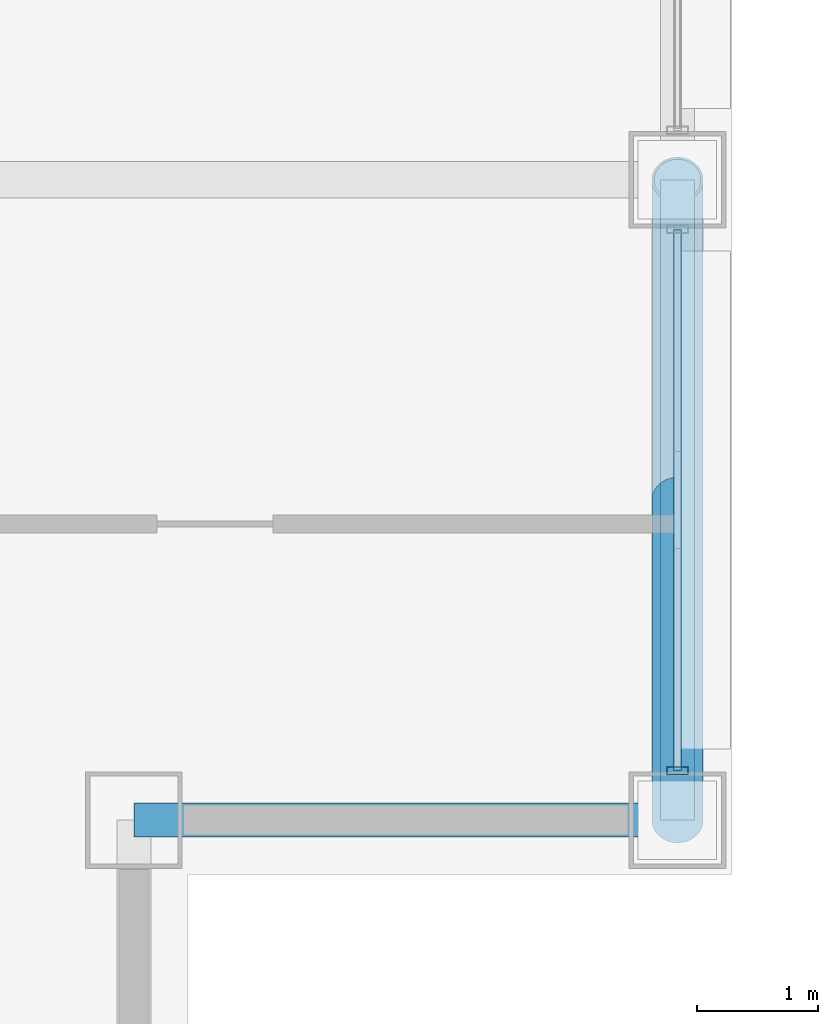
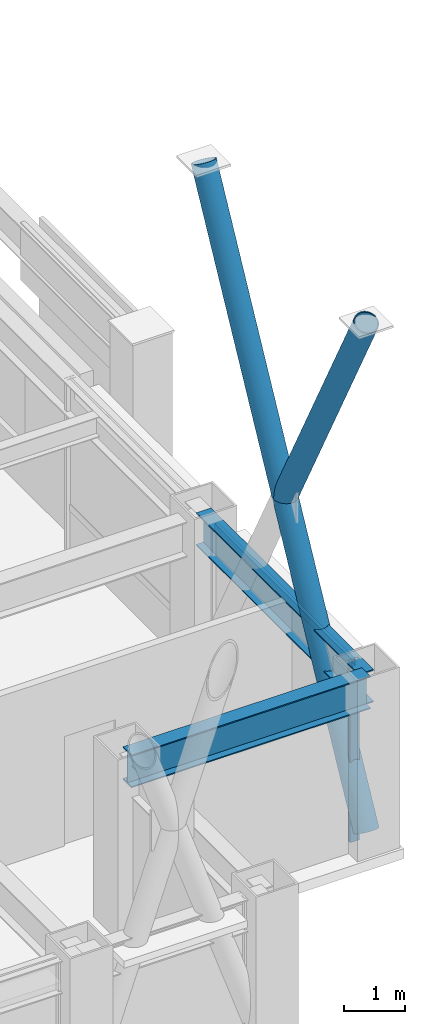
# One storey, part 13 of 33: 4 members, 2 beams, 1 element without a shape of its own.
"""IFC4 building model written with IfcOpenShell, lengths in metres."""

import ifcopenshell
import ifcopenshell.guid

model = None  # the IFC model being written
_history = None  # IfcOwnerHistory: only IFC2X3 demands one
_inside = {}  # id of a spatial element -> (the spatial element, [elements in it])
_under = {}  # id of a project, library or spatial element -> (it, [spatial elements below it])
_declared = {}  # id of a project -> (the project, [libraries it declares])
_typed = {}  # id of a type object -> (the type object, [elements of that type])
_made_of = {}  # id of a material, layer set ... -> (it, [elements and type objects made of it])


def new_model(schema):
    """Start an empty IFC model of exactly this schema.

    Asked for "IFC4X3", IfcOpenShell would pick the latest addendum, in which some entities
    have other attributes; the version numbers below select the first issue.
    IFC2X3 requires an IfcOwnerHistory on every rooted entity: one is made here for all.
    """
    global model, _history
    if schema == "IFC4X3":
        model = ifcopenshell.file(schema_version=(4, 3, 0, 0))
    else:
        model = ifcopenshell.file(schema=schema)
    _inside.clear()
    _under.clear()
    _declared.clear()
    _typed.clear()
    _made_of.clear()
    _history = None
    if model.schema == "IFC2X3":
        org = make("IfcOrganization", Name="unknown")
        user = make(
            "IfcPersonAndOrganization",
            ThePerson=make("IfcPerson", FamilyName="unknown"),
            TheOrganization=org,
        )
        app = make(
            "IfcApplication",
            ApplicationDeveloper=org,
            Version="unknown",
            ApplicationFullName="unknown",
            ApplicationIdentifier="unknown",
        )
        _history = make(
            "IfcOwnerHistory",
            OwningUser=user,
            OwningApplication=app,
            ChangeAction="ADDED",
            CreationDate=0,
        )
    return model


def make(cls, **values):
    """One entity of the class cls with the attributes given. An attribute that is None is left unset."""
    return model.create_entity(
        cls, **{name: value for name, value in values.items() if value is not None}
    )


def rooted(cls, **values):
    """An entity with a GlobalId (a new one), such as an element, a storey or a relation."""
    return make(cls, GlobalId=ifcopenshell.guid.new(), OwnerHistory=_history, **values)


def si_unit(unit_type, name, prefix=None):
    """IfcSIUnit, for example si_unit("LENGTHUNIT", "METRE", prefix="MILLI")."""
    return make("IfcSIUnit", UnitType=unit_type, Prefix=prefix, Name=name)


def assignment(units):
    """IfcUnitAssignment: the units of a project."""
    return None if units is None else make("IfcUnitAssignment", Units=units)


def point(xyz):
    """IfcCartesianPoint."""
    return None if xyz is None else make("IfcCartesianPoint", Coordinates=xyz)


def direction(xyz):
    """IfcDirection."""
    return None if xyz is None else make("IfcDirection", DirectionRatios=xyz)


def frame(location, z_axis=None, x_axis=None):
    """IfcAxis2Placement3D, a coordinate frame: its origin and axes. An axis left out is left unset."""
    return make(
        "IfcAxis2Placement3D",
        Location=point(location),
        Axis=direction(z_axis),
        RefDirection=direction(x_axis),
    )


def frame_2d(location, x_axis=None):
    """IfcAxis2Placement2D, a coordinate frame in the plane: its origin and x axis."""
    return make(
        "IfcAxis2Placement2D", Location=point(location), RefDirection=direction(x_axis)
    )


def origin():
    """The frame at (0, 0, 0) with its axes left unset."""
    return frame((0.0, 0.0, 0.0))


def origin_2d():
    """The frame at (0, 0) in the plane with its x axis left unset."""
    return frame_2d((0.0, 0.0))


def place(relative_to, where):
    """IfcLocalPlacement: puts the frame where relative to a parent placement (None: the world)."""
    return make(
        "IfcLocalPlacement", PlacementRelTo=relative_to, RelativePlacement=where
    )


def context(
    kind, dimensions, precision=None, world=None, true_north=None, identifier=None
):
    """IfcGeometricRepresentationContext, for example the 3D "Model" context."""
    return make(
        "IfcGeometricRepresentationContext",
        ContextIdentifier=identifier,
        ContextType=kind,
        CoordinateSpaceDimension=dimensions,
        Precision=precision,
        WorldCoordinateSystem=world,
        TrueNorth=true_north,
    )


def subcontext(parent, identifier, kind, view, scale=None):
    """IfcGeometricRepresentationSubContext, for example "Body" below "Model"."""
    return make(
        "IfcGeometricRepresentationSubContext",
        ContextIdentifier=identifier,
        ContextType=kind,
        ParentContext=parent,
        TargetScale=scale,
        TargetView=view,
    )


def project(units=None, contexts=None):
    """IfcProject with its units and contexts."""
    return rooted(
        "IfcProject",
        Name="project",
        RepresentationContexts=contexts,
        UnitsInContext=assignment(units),
    )


def spatial(cls, under=None, at=None, **own):
    """A site, building, storey or space (cls), placed at a placement, below another one or the project."""
    s = rooted(cls, ObjectPlacement=at, **own)
    if under is not None:
        _under.setdefault(under.id(), (under, []))[1].append(s)
    return s


def profile(cls, at=None, kind="AREA", **sizes):
    """A parametric profile (cls). Its sizes go by their IFC names, for example OverallWidth=200.0."""
    return make(cls, ProfileType=kind, Position=at, **sizes)


def hollow_rectangle(**sizes):
    """IfcRectangleHollowProfileDef."""
    return profile("IfcRectangleHollowProfileDef", **sizes)


def hollow_circle(**sizes):
    """IfcCircleHollowProfileDef."""
    return profile("IfcCircleHollowProfileDef", **sizes)


def i_section(**sizes):
    """IfcIShapeProfileDef."""
    return profile("IfcIShapeProfileDef", **sizes)


def extrude(swept, where, along, depth):
    """IfcExtrudedAreaSolid: the profile swept, set in the frame where, extruded along a direction by depth."""
    return make(
        "IfcExtrudedAreaSolid",
        SweptArea=swept,
        Position=where,
        ExtrudedDirection=direction(along),
        Depth=depth,
    )


def shape(context_of_items, identifier, shape_type, items):
    """IfcShapeRepresentation: the items that make up one representation, for example the "Body"."""
    return make(
        "IfcShapeRepresentation",
        ContextOfItems=context_of_items,
        RepresentationIdentifier=identifier,
        RepresentationType=shape_type,
        Items=items,
    )


def material(Name=None, Category=None):
    """IfcMaterial."""
    return make("IfcMaterial", Name=Name, Category=Category)


def layer(
    of_material, thickness, ventilated=None, Name=None, Category=None, Priority=None
):
    """IfcMaterialLayer: one layer of a wall or slab, of a material (None: an air gap)."""
    return make(
        "IfcMaterialLayer",
        Material=of_material,
        LayerThickness=thickness,
        IsVentilated=ventilated,
        Name=Name,
        Category=Category,
        Priority=Priority,
    )


def layer_set(layers, Name=None):
    """IfcMaterialLayerSet."""
    return make("IfcMaterialLayerSet", MaterialLayers=layers, LayerSetName=Name)


def material_profile(
    of_material, cross_section, Name=None, Category=None, Priority=None
):
    """IfcMaterialProfile: a cross section and its material."""
    return make(
        "IfcMaterialProfile",
        Name=Name,
        Material=of_material,
        Profile=cross_section,
        Priority=Priority,
        Category=Category,
    )


def profile_set(profiles, Name=None, composite=None):
    """IfcMaterialProfileSet."""
    return make(
        "IfcMaterialProfileSet",
        Name=Name,
        MaterialProfiles=profiles,
        CompositeProfile=composite,
    )


def made_of(thing, what):
    """Note that an element or type object is made of a material, layer set ...; save() writes the relation."""
    if what is not None:
        _made_of.setdefault(what.id(), (what, []))[1].append(thing)
    return thing


def type_object(cls, material=None, **own):
    """A type object (cls), such as IfcWallType, which elements share."""
    return made_of(rooted(cls, **own), material)


def element(
    cls,
    number,
    at=None,
    inside=None,
    cuts=None,
    type_object=None,
    material=None,
    context=None,
    identifier="Body",
    shape_type=None,
    held_by="IfcProductDefinitionShape",
    body=None,
    shapes=None,
    **own,
):
    """One element of the class cls, such as IfcWall. Its Tag is "e" and its number.

    at: its placement. inside: the storey or other place that contains it. cuts: it is an
    opening in that element (IfcRelVoidsElement). A single representation is given by context,
    identifier, shape_type and body (its items); several are given by shapes. held_by: the class
    of the entity that holds the representations. save() writes the other relations.
    """
    e = rooted(cls, Tag="e%d" % number, ObjectPlacement=at, **own)
    if body is not None:
        shapes = [shape(context, identifier, shape_type, body)]
    if shapes is not None:
        e.Representation = make(held_by, Representations=shapes)
    if inside is not None:
        _inside.setdefault(inside.id(), (inside, []))[1].append(e)
    if cuts is not None:
        rooted(
            "IfcRelVoidsElement", RelatingBuildingElement=cuts, RelatedOpeningElement=e
        )
    if type_object is not None:
        _typed.setdefault(type_object.id(), (type_object, []))[1].append(e)
    return made_of(e, material)


def aggregate(whole, parts):
    """IfcRelAggregates: a whole, such as a stair, and the parts it consists of."""
    return rooted("IfcRelAggregates", RelatingObject=whole, RelatedObjects=parts)


def save(model, path):
    """Write the relations noted so far, then the file.

    IfcRelAggregates (storeys below a building ...), IfcRelContainedInSpatialStructure (elements
    in a storey), IfcRelDefinesByType, IfcRelAssociatesMaterial and IfcRelDeclares: one each for
    every whole, place, type object, material and project.
    """
    for whole, parts in _under.values():
        aggregate(whole, parts)
    for where, things in _inside.values():
        rooted(
            "IfcRelContainedInSpatialStructure",
            RelatedElements=things,
            RelatingStructure=where,
        )
    for kind, things in _typed.values():
        rooted("IfcRelDefinesByType", RelatedObjects=things, RelatingType=kind)
    for what, things in _made_of.values():
        rooted("IfcRelAssociatesMaterial", RelatedObjects=things, RelatingMaterial=what)
    for by, libraries in _declared.values():
        rooted("IfcRelDeclares", RelatingContext=by, RelatedDefinitions=libraries)
    model.write(path)


model = new_model("IFC4")

# Units and contexts
model_context = context("Model", 3, precision=1e-05, world=origin(), true_north=direction((0.0, 1.0)))
body_context = subcontext(model_context, "Body", "Model", "MODEL_VIEW")
ifc_project = project(units=[si_unit("LENGTHUNIT", "METRE"), si_unit("AREAUNIT", "SQUARE_METRE"), si_unit("VOLUMEUNIT", "CUBIC_METRE"), si_unit("PLANEANGLEUNIT", "RADIAN"), si_unit("MASSUNIT", "GRAM", prefix="KILO")], contexts=[model_context])

# Site, building, storey
site_placement = place(None, origin())
site = spatial("IfcSite", under=ifc_project, at=site_placement, CompositionType="ELEMENT")
building_placement = place(site_placement, origin())
building = spatial("IfcBuilding", under=site, at=building_placement, Name="Brelmoor Portico Tower", CompositionType="ELEMENT")
storey_placement = place(building_placement, frame((0.0, 0.0, 120.60009765625)))
storey = spatial("IfcBuildingStorey", under=building, at=storey_placement, Name="L31", CompositionType="ELEMENT", Elevation=120.60009765625)

# Beams
ifc_material_1 = material(Name="Steel Q355B", Category="steel")
ifc_material_profile_1 = material_profile(ifc_material_1, i_section(OverallWidth=0.280029296875, OverallDepth=0.64990234375, WebThickness=0.012939453125, FlangeThickness=0.02197265625, at=origin_2d()), Name="HN 650x280x13x22")
ifc_profile_set_1 = profile_set([ifc_material_profile_1], Name="Steel Q355B")
beam_type = type_object("IfcBeamType", Name="BM-SP-650", PredefinedType="SPANDREL", material=ifc_profile_set_1)
beam_1_placement = place(storey_placement, frame((18.050048828125, -15.050048828125, 3.074951171875), z_axis=(1.0, 0.0, 0.0), x_axis=(0.0, 1.0, 0.0)))
element("IfcBeam", 1, at=beam_1_placement, inside=storey, type_object=beam_type, Name="L31 Perimeter Spandrel Beam SP-07", PredefinedType="SPANDREL", context=body_context, shape_type="SweptSolid", body=[
    extrude(i_section(OverallWidth=0.280029296875, OverallDepth=0.64990234375, WebThickness=0.012939453125, FlangeThickness=0.02197265625, at=origin_2d()), origin(), (0.0, 0.0, 1.0), 4.5),
])
beam_2_placement = place(storey_placement, frame((22.550048828125, -15.050048828125, 3.074951171875), z_axis=(0.0, 1.0, 0.0), x_axis=(-1.0, 0.0, 0.0)))
element("IfcBeam", 2, at=beam_2_placement, inside=storey, type_object=beam_type, Name="L31 Perimeter Spandrel Beam SP-22", PredefinedType="SPANDREL", context=body_context, shape_type="SweptSolid", body=[
    extrude(i_section(OverallWidth=0.280029296875, OverallDepth=0.64990234375, WebThickness=0.012939453125, FlangeThickness=0.02197265625, at=origin_2d()), origin(), (0.0, 0.0, 1.0), 5.300048828125),
])

# Members
ifc_material_profile_2 = material_profile(ifc_material_1, hollow_circle(Radius=0.212890625, WallThickness=0.02001953125, at=origin_2d()), Name="CHS 426x20")
ifc_profile_set_2 = profile_set([ifc_material_profile_2], Name="Steel Q355B")
member_type_1 = type_object("IfcMemberType", Name="MB-BELT-DIAG1", PredefinedType="BRACE", material=ifc_profile_set_2)
member_1_placement = place(storey_placement, frame((22.550048828125, -15.050048828125, 0.25), z_axis=(0.0, 0.464670709165, 0.885483558314), x_axis=(-1.0, 0.0, 0.0)))
element("IfcMember", 3, at=member_1_placement, inside=storey, type_object=member_type_1, Name="L31 Continuous Mega-X Brace 072A", PredefinedType="BRACE", context=body_context, shape_type="SweptSolid", body=[
    extrude(hollow_circle(Radius=0.212890625, WallThickness=0.02001953125, at=origin_2d()), origin(), (0.0, 0.0, 1.0), 11.406005859375),
])
member_2_placement = place(storey_placement, frame((22.550048828125, -12.39990234375, 5.2998046875), z_axis=(0.0, -0.464678684729, 0.885479372972), x_axis=(1.0, 0.0, 0.0)))
element("IfcMember", 4, at=member_2_placement, inside=storey, type_object=member_type_1, Name="L31 Split Mega-X Brace 072B2", PredefinedType="BRACE", context=body_context, shape_type="SweptSolid", body=[
    extrude(hollow_circle(Radius=0.212890625, WallThickness=0.02001953125, at=origin_2d()), origin(), (0.0, 0.0, 1.0), 5.703125),
])

# Curtain wall, members
ifc_material_2 = material(Name="Anodised Aluminium Alloy 6063-T6", Category="aluminium")
ifc_layer = layer(ifc_material_2, 0.179931640625)
ifc_layer_set = layer_set([ifc_layer], Name="Anodised Aluminium Alloy 6063-T6")
curtain_wall_type = type_object("IfcCurtainWallType", Name="CW-TOWER-Z2-XB", PredefinedType="NOTDEFINED", material=ifc_layer_set)
curtain_wall_placement = place(storey_placement, origin())
curtain_wall = element("IfcCurtainWall", 5, at=curtain_wall_placement, inside=storey, type_object=curtain_wall_type, Name="L31 Curtain Wall CW-L31-4L-1", PredefinedType="NOTDEFINED")
ifc_material_profile_3 = material_profile(ifc_material_2, hollow_rectangle(XDim=0.06494140625, YDim=0.179931640625, WallThickness=0.00390625, at=origin_2d()), Name="ALU MULLION 65x180")
ifc_profile_set_3 = profile_set([ifc_material_profile_3], Name="Anodised Aluminium Alloy 6063-T6")
member_type_2 = type_object("IfcMemberType", Name="MB-CW-MULL-180", PredefinedType="MULLION", material=ifc_profile_set_3)
member_3_placement = place(storey_placement, frame((22.550048828125, -14.639892578125, -0.2001953125), z_axis=(0.0, 0.0, 1.0), x_axis=(0.0, 1.0, 0.0)))
member_3 = element("IfcMember", 6, at=member_3_placement, type_object=member_type_2, Name="CW-L31-4L-1 Mullion 00", PredefinedType="MULLION", context=body_context, shape_type="SweptSolid", body=[
    extrude(hollow_rectangle(XDim=0.06494140625, YDim=0.179931640625, WallThickness=0.00390625, at=origin_2d()), origin(), (0.0, 0.0, 1.0), 3.60009765625),
])
ifc_material_profile_4 = material_profile(ifc_material_2, hollow_rectangle(XDim=0.06494140625, YDim=0.139892578125, WallThickness=0.00390625, at=origin_2d()), Name="ALU TRANSOM 65x140")
ifc_profile_set_4 = profile_set([ifc_material_profile_4], Name="Anodised Aluminium Alloy 6063-T6")
member_type_3 = type_object("IfcMemberType", Name="MB-CW-TRAN-140", PredefinedType="USERDEFINED", material=ifc_profile_set_4)
member_4_placement = place(storey_placement, frame((22.550048828125, -14.639892578125, 3.329833984375), z_axis=(0.0, 1.0, 0.0), x_axis=(-1.0, 0.0, 0.0)))
member_4 = element("IfcMember", 7, at=member_4_placement, type_object=member_type_3, Name="CW-L31-4L-1 Transom 1-00", ObjectType="TRANSOM", PredefinedType="USERDEFINED", context=body_context, shape_type="SweptSolid", body=[
    extrude(hollow_rectangle(XDim=0.06494140625, YDim=0.139892578125, WallThickness=0.00390625, at=origin_2d()), origin(), (0.0, 0.0, 1.0), 4.47998046875),
])
aggregate(curtain_wall, [member_3, member_4])

save(model, "model.ifc")
